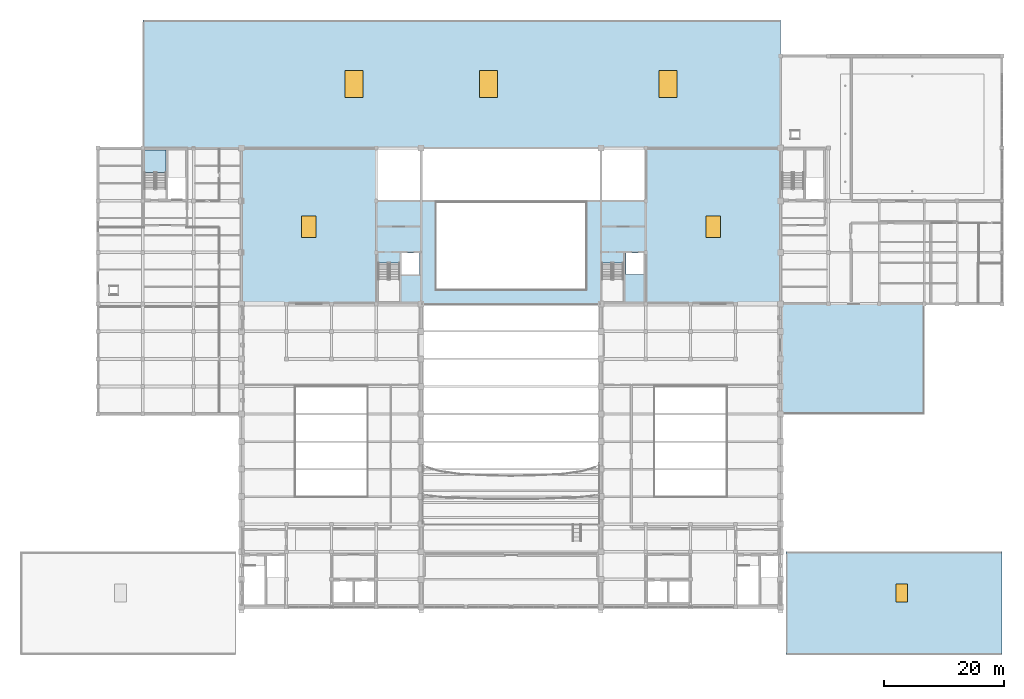
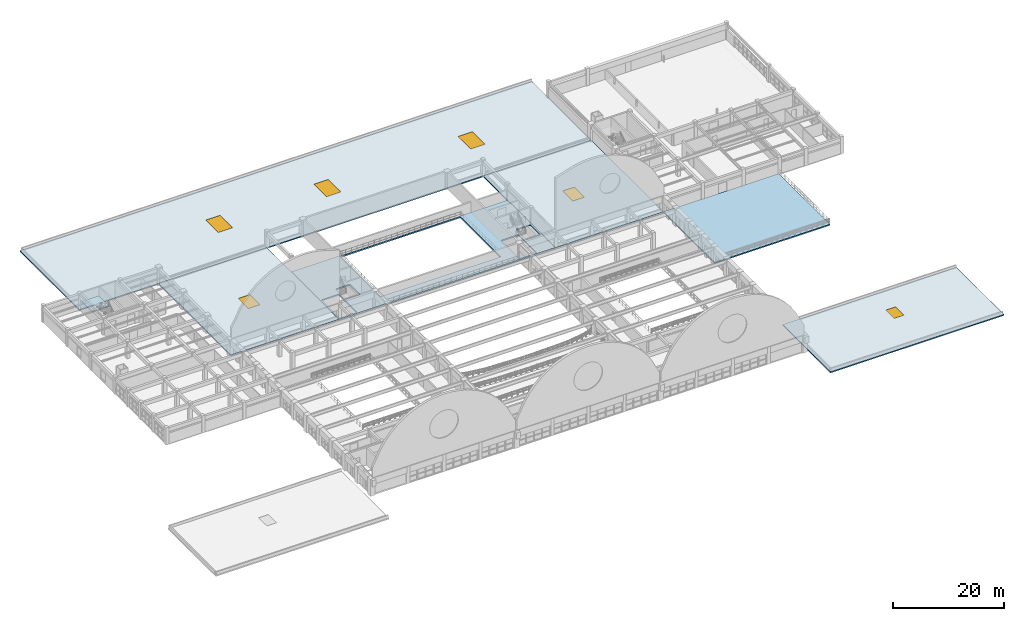
# One storey, part 47 of 74: 7 slabs, 6 windows, 6 openings, 1 element without a shape of its own.
"""IFC4 building model written with IfcOpenShell, lengths in metres."""

from ifc_helpers import new_model, si_unit, direction, frame, origin, origin_2d, place, context, subcontext, project, spatial, polyline, rectangle, outline, extrude, material, layer, layer_set, type_object, element, fill, aggregate, save


model = new_model("IFC4")

# Units and contexts
model_context = context("Model", 3, precision=1e-05, world=origin(), true_north=direction((0.0, 1.0)))
body_context = subcontext(model_context, "Body", "Model", "MODEL_VIEW")
ifc_project = project(units=[si_unit("LENGTHUNIT", "METRE"), si_unit("AREAUNIT", "SQUARE_METRE"), si_unit("VOLUMEUNIT", "CUBIC_METRE"), si_unit("PLANEANGLEUNIT", "RADIAN"), si_unit("MASSUNIT", "GRAM", prefix="KILO")], contexts=[model_context])

# Site, building, storey
site_placement = place(None, origin())
site = spatial("IfcSite", under=ifc_project, at=site_placement, CompositionType="ELEMENT")
building_placement = place(site_placement, origin())
building = spatial("IfcBuilding", under=site, at=building_placement, Name="Muzn Square Opera House", CompositionType="ELEMENT")
storey_placement = place(building_placement, frame((0.0, 0.0, 14.199951171875)))
storey = spatial("IfcBuildingStorey", under=building, at=storey_placement, Name="L03", CompositionType="ELEMENT", Elevation=14.199951171875)

# Slab
ifc_material_1 = material(Name="Concrete C40/50", Category="concrete")
ifc_layer_1 = layer(ifc_material_1, 0.280029296875, Name="Concrete C40/50", Category="concrete")
ifc_layer_set_1 = layer_set([ifc_layer_1], Name="Concrete C40/50")
slab_type_1 = type_object("IfcSlabType", Name="Floor Slab 280mm", PredefinedType="FLOOR", material=ifc_layer_set_1)
slab_1_placement = place(storey_placement, frame((0.0, 0.0, -0.280029296875)))
element("IfcSlab", 1, at=slab_1_placement, inside=storey, type_object=slab_type_1, Name="Floor Slab SLB-L03-CORELINK", PredefinedType="FLOOR", context=body_context, shape_type="SweptSolid", body=[
    extrude(outline(polyline([(65.5, 72.60009765625), (110.5, 72.60009765625), (110.5, 89.800048828125), (65.5, 89.800048828125), (65.5, 72.60009765625)]), holes=[polyline([(75.5, 75.0), (100.5, 75.0), (100.5, 89.550048828125), (75.5, 89.550048828125), (75.5, 75.0)]), polyline([(65.800048828125, 72.89990234375), (69.39990234375, 72.89990234375), (69.39990234375, 79.431884765625), (65.800048828125, 79.431884765625), (65.800048828125, 72.89990234375)]), polyline([(69.699951171875, 77.5), (72.699951171875, 77.5), (72.699951171875, 81.10009765625), (69.699951171875, 81.10009765625), (69.699951171875, 77.5)]), polyline([(103.169921875, 72.89990234375), (106.77001953125, 72.89990234375), (106.77001953125, 79.431884765625), (103.169921875, 79.431884765625), (103.169921875, 72.89990234375)]), polyline([(107.199951171875, 77.5), (110.199951171875, 77.5), (110.199951171875, 81.10009765625), (107.199951171875, 81.10009765625), (107.199951171875, 77.5)])]), origin(), (0.0, 0.0, 1.0), 0.280029296875),
])

# Slab, opening, window
ifc_layer_2 = layer(ifc_material_1, 0.25, Name="Concrete C40/50", Category="concrete")
ifc_layer_set_2 = layer_set([ifc_layer_2], Name="Concrete C40/50")
slab_type_2 = type_object("IfcSlabType", Name="Roof Slab 250mm", PredefinedType="ROOF", material=ifc_layer_set_2)
slab_2_placement = place(storey_placement, frame((0.0, 0.0, -0.25)))
slab_2 = element("IfcSlab", 2, at=slab_2_placement, inside=storey, type_object=slab_type_2, Name="Flat Roof Slab ROOF-L03-SIDEW", PredefinedType="ROOF", context=body_context, shape_type="SweptSolid", body=[
    extrude(outline(polyline([(43.0, 72.60009765625), (65.5, 72.60009765625), (65.5, 98.60009765625), (43.0, 98.60009765625), (43.0, 72.60009765625)])), origin(), (0.0, 0.0, 1.0), 0.25),
])
opening_1_placement = place(slab_2_placement, frame((54.25, 85.5, -0.010009765625)))
opening_1 = element("IfcOpeningElement", 3, at=opening_1_placement, cuts=slab_2, Name="Opening SK-2436", PredefinedType="OPENING", context=body_context, shape_type="SweptSolid", body=[
    extrude(rectangle(XDim=2.39990234375, YDim=3.60009765625, at=origin_2d()), origin(), (0.0, 0.0, 1.0), 0.27001953125),
])
ifc_material_2 = material(Name="Low-E laminated acoustic double glazing", Category="glass")
window_type_1 = type_object("IfcWindowType", Name="Roof Skylight 2400x3600", PartitioningType="SINGLE_PANEL", PredefinedType="SKYLIGHT", material=ifc_material_2)
window_1_placement = place(slab_2_placement, frame((54.25, 85.5, 0.18994140625)))
window_1 = element("IfcWindow", 4, at=window_1_placement, inside=storey, type_object=window_type_1, Name="Acoustic Roof Skylight SKY-L03-11", OverallHeight=3.60009765625, OverallWidth=2.39990234375, PartitioningType="SINGLE_PANEL", PredefinedType="SKYLIGHT", context=body_context, shape_type="SweptSolid", body=[
    extrude(rectangle(XDim=2.39990234375, YDim=3.60009765625, at=origin_2d()), origin(), (0.0, 0.0, 1.0), 0.06005859375),
])
fill(opening_1, window_1)

slab_3_placement = place(storey_placement, frame((0.0, 0.0, -0.25)))
slab_3 = element("IfcSlab", 5, at=slab_3_placement, inside=storey, type_object=slab_type_2, Name="Flat Roof Slab ROOF-L03-SIDEE", PredefinedType="ROOF", context=body_context, shape_type="SweptSolid", body=[
    extrude(outline(polyline([(110.5, 72.60009765625), (133.0, 72.60009765625), (133.0, 98.60009765625), (110.5, 98.60009765625), (110.5, 72.60009765625)])), origin(), (0.0, 0.0, 1.0), 0.25),
])
opening_2_placement = place(slab_3_placement, frame((121.75, 85.5, -0.010009765625)))
opening_2 = element("IfcOpeningElement", 6, at=opening_2_placement, cuts=slab_3, Name="Opening SK-2436", PredefinedType="OPENING", context=body_context, shape_type="SweptSolid", body=[
    extrude(rectangle(XDim=2.39990234375, YDim=3.60009765625, at=origin_2d()), origin(), (0.0, 0.0, 1.0), 0.27001953125),
])
window_2_placement = place(slab_3_placement, frame((121.75, 85.5, 0.18994140625)))
window_2 = element("IfcWindow", 7, at=window_2_placement, inside=storey, type_object=window_type_1, Name="Acoustic Roof Skylight SKY-L03-12", OverallHeight=3.60009765625, OverallWidth=2.39990234375, PartitioningType="SINGLE_PANEL", PredefinedType="SKYLIGHT", context=body_context, shape_type="SweptSolid", body=[
    extrude(rectangle(XDim=2.39990234375, YDim=3.60009765625, at=origin_2d()), origin(), (0.0, 0.0, 1.0), 0.06005859375),
])
fill(opening_2, window_2)

# Slab, openings, windows
slab_4_placement = place(storey_placement, frame((0.0, 0.0, -0.25)))
slab_4 = element("IfcSlab", 8, at=slab_4_placement, inside=storey, type_object=slab_type_2, Name="Flat Roof Slab ROOF-L03-REAR", PredefinedType="ROOF", context=body_context, shape_type="SweptSolid", body=[
    extrude(outline(polyline([(26.5, 98.60009765625), (133.0, 98.60009765625), (133.0, 120.0), (26.5, 120.0), (26.5, 98.60009765625)])), origin(), (0.0, 0.0, 1.0), 0.25),
])
opening_3_placement = place(slab_4_placement, frame((61.75, 109.300048828125, -0.010009765625)))
opening_3 = element("IfcOpeningElement", 9, at=opening_3_placement, cuts=slab_4, Name="Opening SK-3045", PredefinedType="OPENING", context=body_context, shape_type="SweptSolid", body=[
    extrude(rectangle(XDim=3.0, YDim=4.5, at=origin_2d()), origin(), (0.0, 0.0, 1.0), 0.27001953125),
])
opening_4_placement = place(slab_4_placement, frame((84.25, 109.300048828125, -0.010009765625)))
opening_4 = element("IfcOpeningElement", 10, at=opening_4_placement, cuts=slab_4, Name="Opening SK-3045", PredefinedType="OPENING", context=body_context, shape_type="SweptSolid", body=[
    extrude(rectangle(XDim=3.0, YDim=4.5, at=origin_2d()), origin(), (0.0, 0.0, 1.0), 0.27001953125),
])
opening_5_placement = place(slab_4_placement, frame((114.25, 109.300048828125, -0.010009765625)))
opening_5 = element("IfcOpeningElement", 11, at=opening_5_placement, cuts=slab_4, Name="Opening SK-3045", PredefinedType="OPENING", context=body_context, shape_type="SweptSolid", body=[
    extrude(rectangle(XDim=3.0, YDim=4.5, at=origin_2d()), origin(), (0.0, 0.0, 1.0), 0.27001953125),
])
window_type_2 = type_object("IfcWindowType", Name="Roof Skylight 3000x4500", PartitioningType="SINGLE_PANEL", PredefinedType="SKYLIGHT", material=ifc_material_2)
window_3_placement = place(slab_4_placement, frame((61.75, 109.300048828125, 0.18994140625)))
window_3 = element("IfcWindow", 12, at=window_3_placement, inside=storey, type_object=window_type_2, Name="Acoustic Roof Skylight SKY-L03-13", OverallHeight=4.5, OverallWidth=3.0, PartitioningType="SINGLE_PANEL", PredefinedType="SKYLIGHT", context=body_context, shape_type="SweptSolid", body=[
    extrude(rectangle(XDim=3.0, YDim=4.5, at=origin_2d()), origin(), (0.0, 0.0, 1.0), 0.06005859375),
])
fill(opening_3, window_3)
window_4_placement = place(slab_4_placement, frame((84.25, 109.300048828125, 0.18994140625)))
window_4 = element("IfcWindow", 13, at=window_4_placement, inside=storey, type_object=window_type_2, Name="Acoustic Roof Skylight SKY-L03-14", OverallHeight=4.5, OverallWidth=3.0, PartitioningType="SINGLE_PANEL", PredefinedType="SKYLIGHT", context=body_context, shape_type="SweptSolid", body=[
    extrude(rectangle(XDim=3.0, YDim=4.5, at=origin_2d()), origin(), (0.0, 0.0, 1.0), 0.06005859375),
])
fill(opening_4, window_4)
window_5_placement = place(slab_4_placement, frame((114.25, 109.300048828125, 0.18994140625)))
window_5 = element("IfcWindow", 14, at=window_5_placement, inside=storey, type_object=window_type_2, Name="Acoustic Roof Skylight SKY-L03-15", OverallHeight=4.5, OverallWidth=3.0, PartitioningType="SINGLE_PANEL", PredefinedType="SKYLIGHT", context=body_context, shape_type="SweptSolid", body=[
    extrude(rectangle(XDim=3.0, YDim=4.5, at=origin_2d()), origin(), (0.0, 0.0, 1.0), 0.06005859375),
])
fill(opening_5, window_5)

# Slab, opening, window
slab_5_placement = place(storey_placement, frame((0.0, 0.0, -0.25)))
slab_5 = element("IfcSlab", 15, at=slab_5_placement, inside=storey, type_object=slab_type_2, Name="Flat Roof Slab ROOF-L03-ESOUTH", PredefinedType="ROOF", context=body_context, shape_type="SweptSolid", body=[
    extrude(outline(polyline([(133.89990234375, 14.0), (170.0, 14.0), (170.0, 31.199951171875), (133.89990234375, 31.199951171875), (133.89990234375, 14.0)])), origin(), (0.0, 0.0, 1.0), 0.25),
])
opening_6_placement = place(slab_5_placement, frame((153.25, 24.300048828125, -0.010009765625)))
opening_6 = element("IfcOpeningElement", 16, at=opening_6_placement, cuts=slab_5, Name="Opening SK-2030", PredefinedType="OPENING", context=body_context, shape_type="SweptSolid", body=[
    extrude(rectangle(XDim=2.0, YDim=3.0, at=origin_2d()), origin(), (0.0, 0.0, 1.0), 0.27001953125),
])
window_type_3 = type_object("IfcWindowType", Name="Roof Skylight 2000x3000", PartitioningType="SINGLE_PANEL", PredefinedType="SKYLIGHT", material=ifc_material_2)
window_6_placement = place(slab_5_placement, frame((153.25, 24.300048828125, 0.18994140625)))
window_6 = element("IfcWindow", 17, at=window_6_placement, inside=storey, type_object=window_type_3, Name="Acoustic Roof Skylight SKY-L03-17", OverallHeight=3.0, OverallWidth=2.0, PartitioningType="SINGLE_PANEL", PredefinedType="SKYLIGHT", context=body_context, shape_type="SweptSolid", body=[
    extrude(rectangle(XDim=2.0, YDim=3.0, at=origin_2d()), origin(), (0.0, 0.0, 1.0), 0.06005859375),
])
fill(opening_6, window_6)

# Stair, slab
stair_type = type_object("IfcStairType", Name="Core Escape Dogleg Stair", PredefinedType="HALF_TURN_STAIR", material=ifc_material_1)
stair_placement = place(storey_placement, origin())
stair = element("IfcStair", 18, at=stair_placement, inside=storey, type_object=stair_type, Name="L03 Escape Stair ST-6", PredefinedType="HALF_TURN_STAIR")
ifc_layer_3 = layer(ifc_material_1, 0.199951171875, Name="Concrete C40/50", Category="concrete")
ifc_layer_set_3 = layer_set([ifc_layer_3], Name="Concrete C40/50")
slab_type_3 = type_object("IfcSlabType", Name="Stair Half Landing 200mm", PredefinedType="LANDING", material=ifc_layer_set_3)
slab_6_placement = place(storey_placement, frame((0.0, 0.0, 1.699951171875)))
slab_6 = element("IfcSlab", 19, at=slab_6_placement, type_object=slab_type_3, Name="ST-6 landing 1", PredefinedType="LANDING", context=body_context, shape_type="SweptSolid", body=[
    extrude(outline(polyline([(30.39990234375, 94.56005859375), (30.39990234375, 98.300048828125), (26.800048828125, 98.300048828125), (26.800048828125, 94.56005859375), (30.39990234375, 94.56005859375)])), origin(), (0.0, 0.0, 1.0), 0.2001953125),
])
aggregate(stair, [slab_6])

# Slab
ifc_layer_4 = layer(ifc_material_1, 0.260009765625, Name="Concrete C40/50", Category="concrete")
ifc_layer_set_4 = layer_set([ifc_layer_4], Name="Concrete C40/50")
slab_type_4 = type_object("IfcSlabType", Name="Terrace Slab 260mm", PredefinedType="FLOOR", material=ifc_layer_set_4)
slab_7_placement = place(storey_placement, frame((0.0, 0.0, -0.260009765625)))
element("IfcSlab", 20, at=slab_7_placement, inside=storey, type_object=slab_type_4, Name="Outdoor Terrace Slab EXT-L03-SUNSET", PredefinedType="FLOOR", context=body_context, shape_type="SweptSolid", body=[
    extrude(outline(polyline([(133.0, 54.199951171875), (157.0, 54.199951171875), (157.0, 72.60009765625), (133.0, 72.60009765625), (133.0, 54.199951171875)])), origin(), (0.0, 0.0, 1.0), 0.260009765625),
])

save(model, "model.ifc")
